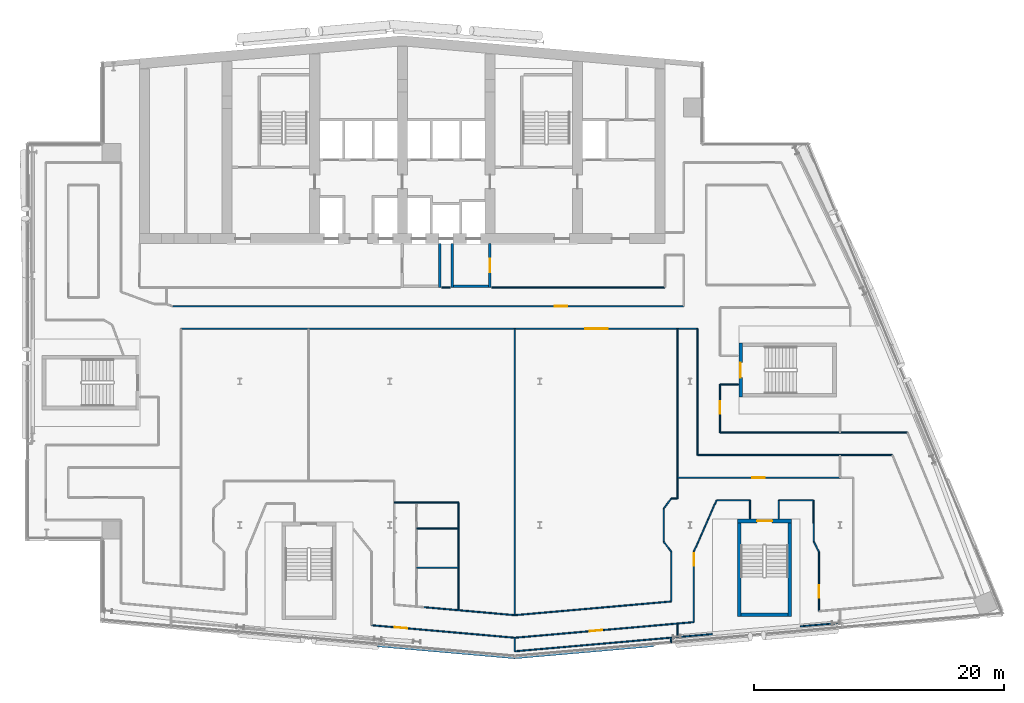
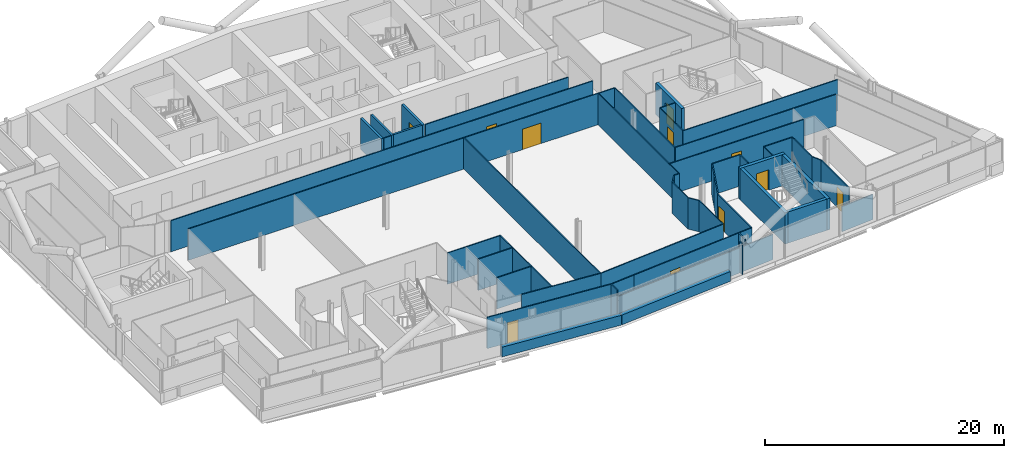
# One storey, part 17 of 27: 52 walls, 11 doors, 11 openings.
"""IFC4 building model written with IfcOpenShell, lengths in metres."""

from ifc_helpers import new_model, si_unit, direction, frame, frame_2d, origin, place, context, subcontext, project, spatial, rectangle, extrude, material, layer, layer_set, type_object, element, fill, save


model = new_model("IFC4")

# Units and contexts
model_context = context("Model", 3, precision=1e-05, world=origin(), true_north=direction((0.0, 1.0)))
body_context = subcontext(model_context, "Body", "Model", "MODEL_VIEW")
ifc_project = project(units=[si_unit("LENGTHUNIT", "METRE"), si_unit("AREAUNIT", "SQUARE_METRE"), si_unit("VOLUMEUNIT", "CUBIC_METRE"), si_unit("PLANEANGLEUNIT", "RADIAN"), si_unit("MASSUNIT", "GRAM", prefix="KILO")], contexts=[model_context])

# Site, building, storey
site_placement = place(None, origin())
site = spatial("IfcSite", under=ifc_project, at=site_placement, CompositionType="ELEMENT")
building_placement = place(site_placement, origin())
building = spatial("IfcBuilding", under=site, at=building_placement, Name="Wharfspan Tower", CompositionType="ELEMENT")
storey_placement = place(building_placement, frame((0.0, 0.0, 191.5)))
storey = spatial("IfcBuildingStorey", under=building, at=storey_placement, Name="L47", CompositionType="ELEMENT", Elevation=191.5)

# Wall, opening, door
ifc_material_1 = material(Name="Gypsum board on steel studs", Category="steel")
ifc_layer_1 = layer(ifc_material_1, 0.100098)
ifc_layer_set_1 = layer_set([ifc_layer_1], Name="Gypsum board on steel studs")
wall_type_1 = type_object("IfcWallType", Name="Compartment wall 100 EI 60", PredefinedType="PARTITIONING", material=ifc_layer_set_1)
wall_1_placement = place(storey_placement, frame((18.63501, 29.0, 0.0), z_axis=(0.0, 0.0, 1.0), x_axis=(1.0, 0.0, 0.0)))
wall_1 = element("IfcWall", 1, at=wall_1_placement, inside=storey, type_object=wall_type_1, Name="Partition L47.w035", PredefinedType="PARTITIONING", context=body_context, shape_type="SweptSolid", body=[
    extrude(rectangle(XDim=40.86499, YDim=0.100098, at=frame_2d((20.432617, 0.0))), origin(), (0.0, 0.0, 1.0), 3.199951),
])
opening_1_placement = place(wall_1_placement, frame((30.544922, 0.0, 0.0)))
opening_1 = element("IfcOpeningElement", 2, at=opening_1_placement, cuts=wall_1, Name="Opening C5-20", PredefinedType="OPENING", context=body_context, shape_type="SweptSolid", body=[
    extrude(rectangle(XDim=1.0, YDim=2.100098, at=frame_2d((0.5, 1.050049))), frame((0.0, 0.060059, 0.0), z_axis=(0.0, -1.0, 0.0), x_axis=(1.0, 0.0, 0.0)), (0.0, 0.0, 1.0), 0.120117),
])
ifc_material_2 = material(Name="Fire-rated timber door leaf in steel frame", Category="steel")
door_type_1 = type_object("IfcDoorType", Name="Door 1000 FD30S Right", OperationType="SINGLE_SWING_RIGHT", PredefinedType="DOOR", material=ifc_material_2)
door_1_placement = place(opening_1_placement, origin())
door_1 = element("IfcDoor", 3, at=door_1_placement, inside=storey, type_object=door_type_1, Name="Door C5-20", OperationType="SINGLE_SWING_RIGHT", OverallHeight=2.100098, OverallWidth=1.0, PredefinedType="DOOR", context=body_context, shape_type="SweptSolid", body=[
    extrude(rectangle(XDim=1.0, YDim=2.100098, at=frame_2d((0.5, 1.050049))), frame((0.0, 0.024902, 0.0), z_axis=(0.0, -1.0, 0.0), x_axis=(1.0, 0.0, 0.0)), (0.0, 0.0, 1.0), 0.050049),
])
fill(opening_1, door_1)

wall_2_placement = place(storey_placement, frame((19.300049, 27.199951, 0.0), z_axis=(0.0, 0.0, 1.0), x_axis=(1.0, 0.0, 0.0)))
wall_2 = element("IfcWall", 4, at=wall_2_placement, inside=storey, type_object=wall_type_1, Name="Partition L47.w037", PredefinedType="PARTITIONING", context=body_context, shape_type="SweptSolid", body=[
    extrude(rectangle(XDim=41.304932, YDim=0.100098, at=frame_2d((20.652344, 0.0))), origin(), (0.0, 0.0, 1.0), 3.199951),
])
opening_2_placement = place(wall_2_placement, frame((32.320068, 0.0, 0.0)))
opening_2 = element("IfcOpeningElement", 5, at=opening_2_placement, cuts=wall_2, Name="Opening C5-18", PredefinedType="OPENING", context=body_context, shape_type="SweptSolid", body=[
    extrude(rectangle(XDim=1.800049, YDim=2.100098, at=frame_2d((0.899902, 1.050049))), frame((0.0, 0.060059, 0.0), z_axis=(0.0, -1.0, 0.0), x_axis=(1.0, 0.0, 0.0)), (0.0, 0.0, 1.0), 0.120117),
])
door_type_2 = type_object("IfcDoorType", Name="Door 1800 FD30S Double", OperationType="DOUBLE_DOOR_SINGLE_SWING", PredefinedType="DOOR", material=ifc_material_2)
door_2_placement = place(opening_2_placement, origin())
door_2 = element("IfcDoor", 6, at=door_2_placement, inside=storey, type_object=door_type_2, Name="Door C5-18", OperationType="DOUBLE_DOOR_SINGLE_SWING", OverallHeight=2.100098, OverallWidth=1.800049, PredefinedType="DOOR", context=body_context, shape_type="SweptSolid", body=[
    extrude(rectangle(XDim=1.800049, YDim=2.100098, at=frame_2d((0.899902, 1.050049))), frame((0.0, 0.024902, 0.0), z_axis=(0.0, -1.0, 0.0), x_axis=(1.0, 0.0, 0.0)), (0.0, 0.0, 1.0), 0.050049),
])
fill(opening_2, door_2)

# Walls
wall_3_placement = place(storey_placement, frame((36.350098, 13.300049, 0.0), z_axis=(0.0, 0.0, 1.0), x_axis=(1.0, 0.0, 0.0)))
element("IfcWall", 7, at=wall_3_placement, inside=storey, type_object=wall_type_1, Name="Partition L47.w059", PredefinedType="PARTITIONING", context=body_context, shape_type="SweptSolid", body=[
    extrude(rectangle(XDim=5.149902, YDim=0.100098, at=frame_2d((2.574951, 0.0))), origin(), (0.0, 0.0, 1.0), 3.199951),
])
wall_4_placement = place(storey_placement, frame((41.5, 4.695068, 0.0), z_axis=(0.0, 0.0, 1.0), x_axis=(0.0, 1.0, 0.0)))
element("IfcWall", 8, at=wall_4_placement, inside=storey, type_object=wall_type_1, Name="Partition L47.w065", PredefinedType="PARTITIONING", context=body_context, shape_type="SweptSolid", body=[
    extrude(rectangle(XDim=8.60498, YDim=0.100098, at=frame_2d((4.30249, 0.0))), origin(), (0.0, 0.0, 1.0), 3.199951),
])
wall_5_placement = place(storey_placement, frame((46.0, 4.300049, 0.0), z_axis=(0.0, 0.0, 1.0), x_axis=(-0.996173, 0.087448, 0.0)))
element("IfcWall", 9, at=wall_5_placement, inside=storey, type_object=wall_type_1, Name="Partition L47.w066", PredefinedType="PARTITIONING", context=body_context, shape_type="SweptSolid", body=[
    extrude(rectangle(XDim=7.314697, YDim=0.100098, at=frame_2d((3.657227, 0.0))), origin(), (0.0, 0.0, 1.0), 3.199951),
])
wall_6_placement = place(storey_placement, frame((46.0, 1.415039, 0.0), z_axis=(0.0, 0.0, 1.0), x_axis=(0.0, 1.0, 0.0)))
element("IfcWall", 10, at=wall_6_placement, inside=storey, type_object=wall_type_1, Name="Partition L47.w068", PredefinedType="PARTITIONING", context=body_context, shape_type="SweptSolid", body=[
    extrude(rectangle(XDim=1.080078, YDim=0.100098, at=frame_2d((0.540039, 0.0))), origin(), (0.0, 0.0, 1.0), 3.199951),
])

# Wall, opening, door
wall_7_placement = place(storey_placement, frame((46.0, 2.495117, 0.0), z_axis=(0.0, 0.0, 1.0), x_axis=(-0.996214, 0.08693, 0.0)))
wall_7 = element("IfcWall", 11, at=wall_7_placement, inside=storey, type_object=wall_type_1, Name="Partition L47.w069", PredefinedType="PARTITIONING", context=body_context, shape_type="SweptSolid", body=[
    extrude(rectangle(XDim=11.503418, YDim=0.100098, at=frame_2d((5.751709, 0.0))), origin(), (0.0, 0.0, 1.0), 3.199951),
])
opening_3_placement = place(wall_7_placement, frame((8.64209, 0.0, 0.0)))
opening_3 = element("IfcOpeningElement", 12, at=opening_3_placement, cuts=wall_7, Name="Opening C5-02", PredefinedType="OPENING", context=body_context, shape_type="SweptSolid", body=[
    extrude(rectangle(XDim=1.0, YDim=2.100098, at=frame_2d((0.5, 1.050049))), frame((0.0, 0.060059, 0.0), z_axis=(0.0, -1.0, 0.0), x_axis=(1.0, 0.0, 0.0)), (0.0, 0.0, 1.0), 0.120117),
])
door_3_placement = place(opening_3_placement, origin())
door_3 = element("IfcDoor", 13, at=door_3_placement, inside=storey, type_object=door_type_1, Name="Door C5-02", OperationType="SINGLE_SWING_RIGHT", OverallHeight=2.100098, OverallWidth=1.0, PredefinedType="DOOR", context=body_context, shape_type="SweptSolid", body=[
    extrude(rectangle(XDim=1.0, YDim=2.100098, at=frame_2d((0.5, 1.050049))), frame((0.0, 0.024902, 0.0), z_axis=(0.0, -1.0, 0.0), x_axis=(1.0, 0.0, 0.0)), (0.0, 0.0, 1.0), 0.050049),
])
fill(opening_3, door_3)

# Walls
wall_8_placement = place(storey_placement, frame((46.0, 4.300049, 0.0), z_axis=(0.0, 0.0, 1.0), x_axis=(0.0, 1.0, 0.0)))
element("IfcWall", 14, at=wall_8_placement, inside=storey, type_object=wall_type_1, Name="Partition L47.w070", PredefinedType="PARTITIONING", context=body_context, shape_type="SweptSolid", body=[
    extrude(rectangle(XDim=22.899902, YDim=0.100098, at=frame_2d((11.449951, 0.0))), origin(), (0.0, 0.0, 1.0), 3.199951),
])
wall_9_placement = place(storey_placement, frame((46.0, 2.495117, 0.0), z_axis=(0.0, 0.0, 1.0), x_axis=(0.996324, 0.085703, 0.0)))
element("IfcWall", 15, at=wall_9_placement, inside=storey, type_object=wall_type_1, Name="Partition L47.w071", PredefinedType="PARTITIONING", context=body_context, shape_type="SweptSolid", body=[
    extrude(rectangle(XDim=2.273193, YDim=0.100098, at=frame_2d((1.136719, 0.0))), origin(), (0.0, 0.0, 1.0), 3.199951),
])
wall_10_placement = place(storey_placement, frame((46.0, 4.300049, 0.0), z_axis=(0.0, 0.0, 1.0), x_axis=(0.996189, 0.087194, 0.0)))
element("IfcWall", 16, at=wall_10_placement, inside=storey, type_object=wall_type_1, Name="Partition L47.w072", PredefinedType="PARTITIONING", context=body_context, shape_type="SweptSolid", body=[
    extrude(rectangle(XDim=12.557861, YDim=0.100098, at=frame_2d((6.278809, 0.0))), origin(), (0.0, 0.0, 1.0), 3.199951),
])

# Wall, opening, door
wall_11_placement = place(storey_placement, frame((48.264893, 2.689941, 0.0), z_axis=(0.0, 0.0, 1.0), x_axis=(0.996187, 0.087229, 0.0)))
wall_11 = element("IfcWall", 17, at=wall_11_placement, inside=storey, type_object=wall_type_1, Name="Partition L47.w073", PredefinedType="PARTITIONING", context=body_context, shape_type="SweptSolid", body=[
    extrude(rectangle(XDim=12.091064, YDim=0.100098, at=frame_2d((6.04541, 0.0))), origin(), (0.0, 0.0, 1.0), 3.199951),
])
opening_4_placement = place(wall_11_placement, frame((3.746582, 0.0, 0.0)))
opening_4 = element("IfcOpeningElement", 18, at=opening_4_placement, cuts=wall_11, Name="Opening C5-01", PredefinedType="OPENING", context=body_context, shape_type="SweptSolid", body=[
    extrude(rectangle(XDim=1.0, YDim=2.100098, at=frame_2d((0.5, 1.050049))), frame((0.0, 0.060059, 0.0), z_axis=(0.0, -1.0, 0.0), x_axis=(1.0, 0.0, 0.0)), (0.0, 0.0, 1.0), 0.120117),
])
door_type_3 = type_object("IfcDoorType", Name="Door 1000 FD30S Left", OperationType="SINGLE_SWING_LEFT", PredefinedType="DOOR", material=ifc_material_2)
door_4_placement = place(opening_4_placement, origin())
door_4 = element("IfcDoor", 19, at=door_4_placement, inside=storey, type_object=door_type_3, Name="Door C5-01", OperationType="SINGLE_SWING_LEFT", OverallHeight=2.100098, OverallWidth=1.0, PredefinedType="DOOR", context=body_context, shape_type="SweptSolid", body=[
    extrude(rectangle(XDim=1.0, YDim=2.100098, at=frame_2d((0.5, 1.050049))), frame((0.0, 0.024902, 0.0), z_axis=(0.0, -1.0, 0.0), x_axis=(1.0, 0.0, 0.0)), (0.0, 0.0, 1.0), 0.050049),
])
fill(opening_4, door_4)

# Walls
wall_12_placement = place(storey_placement, frame((57.899902, 10.175049, 0.0), z_axis=(0.0, 0.0, 1.0), x_axis=(0.0, 1.0, 0.0)))
element("IfcWall", 20, at=wall_12_placement, inside=storey, type_object=wall_type_1, Name="Partition L47.w074", PredefinedType="PARTITIONING", context=body_context, shape_type="SweptSolid", body=[
    extrude(rectangle(XDim=2.649902, YDim=0.100098, at=frame_2d((1.324951, 0.0))), origin(), (0.0, 0.0, 1.0), 3.199951),
])
for number, where, z_axis, x_axis, name in (
    (21, (57.899902, 12.824951, 0.0), (0.0, 0.0, 1.0), (0.60639, 0.795174, 0.0), "Partition L47.w075"),
    (22, (58.51001, 9.375, 0.0), (0.0, 0.0, 1.0), (-0.60639, 0.795174, 0.0), "Partition L47.w080"),
):
    element("IfcWall", number, at=place(storey_placement, frame(where, z_axis=z_axis, x_axis=x_axis)), inside=storey, type_object=wall_type_1, Name=name, PredefinedType="PARTITIONING", context=body_context, shape_type="SweptSolid", body=[
        extrude(rectangle(XDim=1.006104, YDim=0.100098, at=frame_2d((0.50293, 0.0))), origin(), (0.0, 0.0, 1.0), 3.199951),
    ])
wall_13_placement = place(storey_placement, frame((58.51001, 5.39502, 0.0), z_axis=(0.0, 0.0, 1.0), x_axis=(0.0, 1.0, 0.0)))
element("IfcWall", 23, at=wall_13_placement, inside=storey, type_object=wall_type_1, Name="Partition L47.w081", PredefinedType="PARTITIONING", context=body_context, shape_type="SweptSolid", body=[
    extrude(rectangle(XDim=3.97998, YDim=0.100098, at=frame_2d((1.98999, 0.0))), origin(), (0.0, 0.0, 1.0), 3.199951),
])
wall_14_placement = place(storey_placement, frame((58.51001, 13.625, 0.0), z_axis=(0.0, 0.0, 1.0), x_axis=(1.0, 0.0, 0.0)))
element("IfcWall", 24, at=wall_14_placement, inside=storey, type_object=wall_type_1, Name="Partition L47.w082", PredefinedType="PARTITIONING", context=body_context, shape_type="SweptSolid", body=[
    extrude(rectangle(XDim=0.48999, YDim=0.100098, at=frame_2d((0.245117, 0.0))), origin(), (0.0, 0.0, 1.0), 3.199951),
])
wall_15_placement = place(storey_placement, frame((59.0, 2.544922, 0.0), z_axis=(0.0, 0.0, 1.0), x_axis=(0.0, 1.0, 0.0)))
element("IfcWall", 25, at=wall_15_placement, inside=storey, type_object=wall_type_1, Name="Partition L47.w083", PredefinedType="PARTITIONING", context=body_context, shape_type="SweptSolid", body=[
    extrude(rectangle(XDim=1.084961, YDim=0.100098, at=frame_2d((0.54248, 0.0))), origin(), (0.0, 0.0, 1.0), 3.199951),
])
wall_16_placement = place(storey_placement, frame((59.0, 13.625, 0.0), z_axis=(0.0, 0.0, 1.0), x_axis=(0.0, 1.0, 0.0)))
element("IfcWall", 26, at=wall_16_placement, inside=storey, type_object=wall_type_1, Name="Partition L47.w084", PredefinedType="PARTITIONING", context=body_context, shape_type="SweptSolid", body=[
    extrude(rectangle(XDim=13.574951, YDim=0.100098, at=frame_2d((6.787598, 0.0))), origin(), (0.0, 0.0, 1.0), 3.199951),
])

# Wall, opening, door
wall_17_placement = place(storey_placement, frame((59.0, 15.284912, 0.0), z_axis=(0.0, 0.0, 1.0), x_axis=(1.0, 0.0, 0.0)))
wall_17 = element("IfcWall", 27, at=wall_17_placement, inside=storey, type_object=wall_type_1, Name="Partition L47.w085", PredefinedType="PARTITIONING", context=body_context, shape_type="SweptSolid", body=[
    extrude(rectangle(XDim=13.0, YDim=0.100098, at=frame_2d((6.5, 0.0))), origin(), (0.0, 0.0, 1.0), 3.199951),
])
opening_5_placement = place(wall_17_placement, frame((5.97998, 0.0, 0.0)))
opening_5 = element("IfcOpeningElement", 28, at=opening_5_placement, cuts=wall_17, Name="Opening C5-16", PredefinedType="OPENING", context=body_context, shape_type="SweptSolid", body=[
    extrude(rectangle(XDim=1.0, YDim=2.100098, at=frame_2d((0.5, 1.050049))), frame((0.0, 0.060059, 0.0), z_axis=(0.0, -1.0, 0.0), x_axis=(1.0, 0.0, 0.0)), (0.0, 0.0, 1.0), 0.120117),
])
door_5_placement = place(opening_5_placement, origin())
door_5 = element("IfcDoor", 29, at=door_5_placement, inside=storey, type_object=door_type_3, Name="Door C5-16", OperationType="SINGLE_SWING_LEFT", OverallHeight=2.100098, OverallWidth=1.0, PredefinedType="DOOR", context=body_context, shape_type="SweptSolid", body=[
    extrude(rectangle(XDim=1.0, YDim=2.100098, at=frame_2d((0.5, 1.050049))), frame((0.0, 0.024902, 0.0), z_axis=(0.0, -1.0, 0.0), x_axis=(1.0, 0.0, 0.0)), (0.0, 0.0, 1.0), 0.050049),
])
fill(opening_5, door_5)

wall_18_placement = place(storey_placement, frame((60.310059, 3.745117, 0.0), z_axis=(0.0, 0.0, 1.0), x_axis=(0.0, 1.0, 0.0)))
wall_18 = element("IfcWall", 30, at=wall_18_placement, inside=storey, type_object=wall_type_1, Name="Partition L47.w089", PredefinedType="PARTITIONING", context=body_context, shape_type="SweptSolid", body=[
    extrude(rectangle(XDim=5.629883, YDim=0.100098, at=frame_2d((2.814941, 0.0))), origin(), (0.0, 0.0, 1.0), 3.199951),
])
opening_6_placement = place(wall_18_placement, frame((4.504639, 0.0, 0.0)))
opening_6 = element("IfcOpeningElement", 31, at=opening_6_placement, cuts=wall_18, Name="Opening C5-09", PredefinedType="OPENING", context=body_context, shape_type="SweptSolid", body=[
    extrude(rectangle(XDim=1.0, YDim=2.100098, at=frame_2d((0.5, 1.050049))), frame((0.0, 0.060059, 0.0), z_axis=(0.0, -1.0, 0.0), x_axis=(1.0, 0.0, 0.0)), (0.0, 0.0, 1.0), 0.120117),
])
door_6_placement = place(opening_6_placement, origin())
door_6 = element("IfcDoor", 32, at=door_6_placement, inside=storey, type_object=door_type_1, Name="Door C5-09", OperationType="SINGLE_SWING_RIGHT", OverallHeight=2.100098, OverallWidth=1.0, PredefinedType="DOOR", context=body_context, shape_type="SweptSolid", body=[
    extrude(rectangle(XDim=1.0, YDim=2.100098, at=frame_2d((0.5, 1.050049))), frame((0.0, 0.024902, 0.0), z_axis=(0.0, -1.0, 0.0), x_axis=(1.0, 0.0, 0.0)), (0.0, 0.0, 1.0), 0.050049),
])
fill(opening_6, door_6)

# Walls
wall_19_placement = place(storey_placement, frame((60.310059, 9.375, 0.0), z_axis=(0.0, 0.0, 1.0), x_axis=(0.404668, 0.914459, 0.0)))
element("IfcWall", 33, at=wall_19_placement, inside=storey, type_object=wall_type_1, Name="Partition L47.w090", PredefinedType="PARTITIONING", context=body_context, shape_type="SweptSolid", body=[
    extrude(rectangle(XDim=2.854248, YDim=0.100098, at=frame_2d((1.427246, 0.0))), origin(), (0.0, 0.0, 1.0), 3.199951),
])
wall_20_placement = place(storey_placement, frame((60.60498, 17.100098, 0.0), z_axis=(0.0, 0.0, 1.0), x_axis=(0.0, 1.0, 0.0)))
element("IfcWall", 34, at=wall_20_placement, inside=storey, type_object=wall_type_1, Name="Partition L47.w091", PredefinedType="PARTITIONING", context=body_context, shape_type="SweptSolid", body=[
    extrude(rectangle(XDim=10.099854, YDim=0.100098, at=frame_2d((5.049805, 0.0))), origin(), (0.0, 0.0, 1.0), 3.199951),
])
wall_21_placement = place(storey_placement, frame((60.60498, 17.100098, 0.0), z_axis=(0.0, 0.0, 1.0), x_axis=(1.0, 0.0, 0.0)))
element("IfcWall", 35, at=wall_21_placement, inside=storey, type_object=wall_type_1, Name="Partition L47.w092", PredefinedType="PARTITIONING", context=body_context, shape_type="SweptSolid", body=[
    extrude(rectangle(XDim=15.580078, YDim=0.100098, at=frame_2d((7.790039, 0.0))), origin(), (0.0, 0.0, 1.0), 3.199951),
])
wall_22_placement = place(storey_placement, frame((61.465088, 11.985107, 0.0), z_axis=(0.0, 0.0, 1.0), x_axis=(0.402692, 0.915331, 0.0)))
element("IfcWall", 36, at=wall_22_placement, inside=storey, type_object=wall_type_1, Name="Partition L47.w096", PredefinedType="PARTITIONING", context=body_context, shape_type="SweptSolid", body=[
    extrude(rectangle(XDim=1.638672, YDim=0.100098, at=frame_2d((0.819336, 0.0))), origin(), (0.0, 0.0, 1.0), 3.199951),
])
wall_23_placement = place(storey_placement, frame((62.125, 13.485107, 0.0), z_axis=(0.0, 0.0, 1.0), x_axis=(1.0, 0.0, 0.0)))
element("IfcWall", 37, at=wall_23_placement, inside=storey, type_object=wall_type_1, Name="Partition L47.w097", PredefinedType="PARTITIONING", context=body_context, shape_type="SweptSolid", body=[
    extrude(rectangle(XDim=2.685059, YDim=0.100098, at=frame_2d((1.342529, 0.0))), origin(), (0.0, 0.0, 1.0), 3.199951),
])

# Wall, opening, door
wall_24_placement = place(storey_placement, frame((62.405029, 18.899902, 0.0), z_axis=(0.0, 0.0, 1.0), x_axis=(0.0, 1.0, 0.0)))
wall_24 = element("IfcWall", 38, at=wall_24_placement, inside=storey, type_object=wall_type_1, Name="Partition L47.w098", PredefinedType="PARTITIONING", context=body_context, shape_type="SweptSolid", body=[
    extrude(rectangle(XDim=3.850098, YDim=0.100098, at=frame_2d((1.925049, 0.0))), origin(), (0.0, 0.0, 1.0), 3.199951),
])
opening_7_placement = place(wall_24_placement, frame((1.5, 0.0, 0.0)))
opening_7 = element("IfcOpeningElement", 39, at=opening_7_placement, cuts=wall_24, Name="Opening C5-17", PredefinedType="OPENING", context=body_context, shape_type="SweptSolid", body=[
    extrude(rectangle(XDim=1.0, YDim=2.100098, at=frame_2d((0.5, 1.050049))), frame((0.0, 0.060059, 0.0), z_axis=(0.0, -1.0, 0.0), x_axis=(1.0, 0.0, 0.0)), (0.0, 0.0, 1.0), 0.120117),
])
door_7_placement = place(opening_7_placement, origin())
door_7 = element("IfcDoor", 40, at=door_7_placement, inside=storey, type_object=door_type_1, Name="Door C5-17", OperationType="SINGLE_SWING_RIGHT", OverallHeight=2.100098, OverallWidth=1.0, PredefinedType="DOOR", context=body_context, shape_type="SweptSolid", body=[
    extrude(rectangle(XDim=1.0, YDim=2.100098, at=frame_2d((0.5, 1.050049))), frame((0.0, 0.024902, 0.0), z_axis=(0.0, -1.0, 0.0), x_axis=(1.0, 0.0, 0.0)), (0.0, 0.0, 1.0), 0.050049),
])
fill(opening_7, door_7)

# Walls
wall_25_placement = place(storey_placement, frame((62.405029, 18.899902, 0.0), z_axis=(0.0, 0.0, 1.0), x_axis=(1.0, 0.0, 0.0)))
element("IfcWall", 41, at=wall_25_placement, inside=storey, type_object=wall_type_1, Name="Partition L47.w099", PredefinedType="PARTITIONING", context=body_context, shape_type="SweptSolid", body=[
    extrude(rectangle(XDim=14.984863, YDim=0.100098, at=frame_2d((7.492432, 0.0))), origin(), (0.0, 0.0, 1.0), 3.199951),
])
wall_26_placement = place(storey_placement, frame((62.405029, 22.75, 0.0), z_axis=(0.0, 0.0, 1.0), x_axis=(1.0, 0.0, 0.0)))
element("IfcWall", 42, at=wall_26_placement, inside=storey, type_object=wall_type_1, Name="Partition L47.w100", PredefinedType="PARTITIONING", context=body_context, shape_type="SweptSolid", body=[
    extrude(rectangle(XDim=1.479492, YDim=0.100098, at=frame_2d((0.739746, 0.0))), origin(), (0.0, 0.0, 1.0), 3.199951),
])
for number, where, z_axis, x_axis, name in (
    (43, (64.810059, 12.003662, 0.0), (0.0, 0.0, 1.0), (0.0, 1.0, 0.0), "Partition L47.w104"),
    (44, (67.110107, 12.003662, 0.0), (0.0, 0.0, 1.0), (0.0, 1.0, 0.0), "Partition L47.w105"),
):
    element("IfcWall", number, at=place(storey_placement, frame(where, z_axis=z_axis, x_axis=x_axis)), inside=storey, type_object=wall_type_1, Name=name, PredefinedType="PARTITIONING", context=body_context, shape_type="SweptSolid", body=[
        extrude(rectangle(XDim=1.481445, YDim=0.100098, at=frame_2d((0.740723, 0.0))), origin(), (0.0, 0.0, 1.0), 3.199951),
    ])
wall_27_placement = place(storey_placement, frame((67.110107, 13.485107, 0.0), z_axis=(0.0, 0.0, 1.0), x_axis=(1.0, 0.0, 0.0)))
element("IfcWall", 45, at=wall_27_placement, inside=storey, type_object=wall_type_1, Name="Partition L47.w106", PredefinedType="PARTITIONING", context=body_context, shape_type="SweptSolid", body=[
    extrude(rectangle(XDim=2.764893, YDim=0.100098, at=frame_2d((1.382324, 0.0))), origin(), (0.0, 0.0, 1.0), 3.199951),
])
wall_28_placement = place(storey_placement, frame((69.899902, 10.175049, 0.0), z_axis=(0.0, 0.0, 1.0), x_axis=(-0.007523, 0.999969, 0.0)))
element("IfcWall", 46, at=wall_28_placement, inside=storey, type_object=wall_type_1, Name="Partition L47.w108", PredefinedType="PARTITIONING", context=body_context, shape_type="SweptSolid", body=[
    extrude(rectangle(XDim=3.310059, YDim=0.100098, at=frame_2d((1.655029, 0.0))), origin(), (0.0, 0.0, 1.0), 3.199951),
])
wall_29_placement = place(storey_placement, frame((70.310059, 9.375, 0.0), z_axis=(0.0, 0.0, 1.0), x_axis=(-0.456208, 0.889877, 0.0)))
element("IfcWall", 47, at=wall_29_placement, inside=storey, type_object=wall_type_1, Name="Partition L47.w111", PredefinedType="PARTITIONING", context=body_context, shape_type="SweptSolid", body=[
    extrude(rectangle(XDim=0.89917, YDim=0.100098, at=frame_2d((0.449707, 0.0))), origin(), (0.0, 0.0, 1.0), 3.199951),
])

# Wall, opening, door
wall_30_placement = place(storey_placement, frame((70.310059, 4.620117, 0.0), z_axis=(0.0, 0.0, 1.0), x_axis=(0.0, 1.0, 0.0)))
wall_30 = element("IfcWall", 48, at=wall_30_placement, inside=storey, type_object=wall_type_1, Name="Partition L47.w112", PredefinedType="PARTITIONING", context=body_context, shape_type="SweptSolid", body=[
    extrude(rectangle(XDim=4.754883, YDim=0.100098, at=frame_2d((2.377441, 0.0))), origin(), (0.0, 0.0, 1.0), 3.199951),
])
opening_8_placement = place(wall_30_placement, frame((1.054932, 0.0, 0.0)))
opening_8 = element("IfcOpeningElement", 49, at=opening_8_placement, cuts=wall_30, Name="Opening C5-03", PredefinedType="OPENING", context=body_context, shape_type="SweptSolid", body=[
    extrude(rectangle(XDim=1.0, YDim=2.100098, at=frame_2d((0.5, 1.050049))), frame((0.0, 0.060059, 0.0), z_axis=(0.0, -1.0, 0.0), x_axis=(1.0, 0.0, 0.0)), (0.0, 0.0, 1.0), 0.120117),
])
door_8_placement = place(opening_8_placement, origin())
door_8 = element("IfcDoor", 50, at=door_8_placement, inside=storey, type_object=door_type_3, Name="Door C5-03", OperationType="SINGLE_SWING_LEFT", OverallHeight=2.100098, OverallWidth=1.0, PredefinedType="DOOR", context=body_context, shape_type="SweptSolid", body=[
    extrude(rectangle(XDim=1.0, YDim=2.100098, at=frame_2d((0.5, 1.050049))), frame((0.0, 0.024902, 0.0), z_axis=(0.0, -1.0, 0.0), x_axis=(1.0, 0.0, 0.0)), (0.0, 0.0, 1.0), 0.050049),
])
fill(opening_8, door_8)

# Walls
wall_31_placement = place(storey_placement, frame((40.149902, 30.5, 0.0), z_axis=(0.0, 0.0, 1.0), x_axis=(1.0, 0.0, 0.0)))
element("IfcWall", 51, at=wall_31_placement, inside=storey, type_object=wall_type_1, Name="Partition L47.w023 (2)", PredefinedType="PARTITIONING", context=body_context, shape_type="SweptSolid", body=[
    extrude(rectangle(XDim=0.700195, YDim=0.100098, at=frame_2d((0.350098, 0.0))), origin(), (0.0, 0.0, 1.0), 3.199951),
])
wall_32_placement = place(storey_placement, frame((44.149902, 30.5, 0.0), z_axis=(0.0, 0.0, 1.0), x_axis=(1.0, 0.0, 0.0)))
element("IfcWall", 52, at=wall_32_placement, inside=storey, type_object=wall_type_1, Name="Partition L47.w023 (3)", PredefinedType="PARTITIONING", context=body_context, shape_type="SweptSolid", body=[
    extrude(rectangle(XDim=13.850098, YDim=0.100098, at=frame_2d((6.925049, 0.0))), origin(), (0.0, 0.0, 1.0), 3.199951),
])
ifc_material_3 = material(Name="Concrete C30/37", Category="concrete")
ifc_layer_2 = layer(ifc_material_3, 0.199951)
ifc_layer_set_2 = layer_set([ifc_layer_2], Name="Concrete C30/37")
wall_type_2 = type_object("IfcWallType", Name="Lobby wall 200", PredefinedType="PARTITIONING", material=ifc_layer_set_2)
for number, where, z_axis, x_axis, name in (
    (53, (40.0, 30.5, 0.0), (0.0, 0.0, 1.0), (0.0, 1.0, 0.0), "sw:L47:FLFF1E"),
    (54, (41.0, 30.5, 0.0), (0.0, 0.0, 1.0), (0.0, 1.0, 0.0), "sw:L47:FLFF2W"),
):
    element("IfcWall", number, at=place(storey_placement, frame(where, z_axis=z_axis, x_axis=x_axis)), inside=storey, type_object=wall_type_2, Name=name, PredefinedType="PARTITIONING", context=body_context, shape_type="SweptSolid", body=[
        extrude(rectangle(XDim=3.5, YDim=0.199951, at=frame_2d((1.75, 0.0))), origin(), (0.0, 0.0, 1.0), 3.199951),
    ])

# Wall, opening, door
wall_33_placement = place(storey_placement, frame((44.0, 30.5, 0.0), z_axis=(0.0, 0.0, 1.0), x_axis=(0.0, 1.0, 0.0)))
wall_33 = element("IfcWall", 55, at=wall_33_placement, inside=storey, type_object=wall_type_2, Name="sw:L47:FLFF2E", PredefinedType="PARTITIONING", context=body_context, shape_type="SweptSolid", body=[
    extrude(rectangle(XDim=3.5, YDim=0.199951, at=frame_2d((1.75, 0.0))), origin(), (0.0, 0.0, 1.0), 3.199951),
])
opening_9_placement = place(wall_33_placement, frame((1.199951, 0.0, 0.0)))
opening_9 = element("IfcOpeningElement", 56, at=opening_9_placement, cuts=wall_33, Name="Opening FL.FF2.L47", PredefinedType="OPENING", context=body_context, shape_type="SweptSolid", body=[
    extrude(rectangle(XDim=1.100098, YDim=2.100098, at=frame_2d((0.550049, 1.050049))), frame((0.0, 0.109863, 0.0), z_axis=(0.0, -1.0, 0.0), x_axis=(1.0, 0.0, 0.0)), (0.0, 0.0, 1.0), 0.219971),
])
ifc_material_4 = material(Name="Steel door leaf", Category="steel")
door_type_4 = type_object("IfcDoorType", Name="Firefighting lobby door 1100x2100", OperationType="SINGLE_SWING_LEFT", PredefinedType="DOOR", material=ifc_material_4)
door_9_placement = place(opening_9_placement, origin())
door_9 = element("IfcDoor", 57, at=door_9_placement, inside=storey, type_object=door_type_4, Name="fd:L47:FF2", OperationType="SINGLE_SWING_LEFT", OverallHeight=2.100098, OverallWidth=1.100098, PredefinedType="DOOR", context=body_context, shape_type="SweptSolid", body=[
    extrude(rectangle(XDim=1.100098, YDim=2.100098, at=frame_2d((0.550049, 1.050049))), frame((0.0, 0.024902, 0.0), z_axis=(0.0, -1.0, 0.0), x_axis=(1.0, 0.0, 0.0)), (0.0, 0.0, 1.0), 0.050049),
])
fill(opening_9, door_9)

# Walls
wall_34_placement = place(storey_placement, frame((41.100098, 30.600098, 0.0), z_axis=(0.0, 0.0, 1.0), x_axis=(1.0, 0.0, 0.0)))
element("IfcWall", 58, at=wall_34_placement, inside=storey, type_object=wall_type_2, Name="sw:L47:FLFF2F", PredefinedType="PARTITIONING", context=body_context, shape_type="SweptSolid", body=[
    extrude(rectangle(XDim=2.799805, YDim=0.199951, at=frame_2d((1.399902, 0.0))), origin(), (0.0, 0.0, 1.0), 3.199951),
])
ifc_layer_3 = layer(ifc_material_1, 0.100098)
ifc_layer_set_3 = layer_set([ifc_layer_3], Name="Gypsum board on steel studs")
wall_type_3 = type_object("IfcWallType", Name="Partition 100", PredefinedType="PARTITIONING", material=ifc_layer_set_3)
for number, where, z_axis, x_axis, name in (
    (59, (38.139893, 8.094971, 0.0), (0.0, 0.0, 1.0), (1.0, 0.0, 0.0), "Partition L47.w062"),
    (60, (38.139893, 11.235107, 0.0), (0.0, 0.0, 1.0), (1.0, 0.0, 0.0), "Partition L47.w063"),
):
    element("IfcWall", number, at=place(storey_placement, frame(where, z_axis=z_axis, x_axis=x_axis)), inside=storey, type_object=wall_type_3, Name=name, PredefinedType="PARTITIONING", context=body_context, shape_type="SweptSolid", body=[
        extrude(rectangle(XDim=3.360107, YDim=0.100098, at=frame_2d((1.680176, 0.0))), origin(), (0.0, 0.0, 1.0), 3.199951),
    ])
wall_35_placement = place(storey_placement, frame((46.0, 1.409912, 0.0), z_axis=(0.0, 0.0, 1.0), x_axis=(0.996213, 0.086958, 0.0)))
element("IfcWall", 61, at=wall_35_placement, inside=storey, type_object=wall_type_3, Name="Partition L47.w067", PredefinedType="PARTITIONING", context=body_context, shape_type="SweptSolid", body=[
    extrude(rectangle(XDim=15.851562, YDim=0.100098, at=frame_2d((7.925781, 0.0))), origin(), (0.0, 0.0, 1.0), 2.580078),
])
wall_36_placement = place(storey_placement, frame((58.498291, 2.101562, 0.0), z_axis=(0.0, 0.0, 1.0), x_axis=(-0.083045, 0.996542, 0.0)))
element("IfcWall", 62, at=wall_36_placement, inside=storey, type_object=wall_type_3, Name="Partition L47.w079", PredefinedType="PARTITIONING", context=body_context, shape_type="SweptSolid", body=[
    extrude(rectangle(XDim=0.399902, YDim=0.100098, at=frame_2d((0.199951, 0.0))), origin(), (0.0, 0.0, 1.0), 3.199951),
])
wall_37_placement = place(storey_placement, frame((68.831299, 3.406738, 0.0), z_axis=(0.0, 0.0, 1.0), x_axis=(0.996308, 0.085898, 0.0)))
element("IfcWall", 63, at=wall_37_placement, inside=storey, type_object=wall_type_3, Name="Partition L47.w107", PredefinedType="PARTITIONING", context=body_context, shape_type="SweptSolid", body=[
    extrude(rectangle(XDim=3.18042, YDim=0.100098, at=frame_2d((1.590332, 0.0))), origin(), (0.0, 0.0, 1.0), 2.580078),
])
ifc_material_5 = material(Name="Concrete C40/50", Category="concrete")
ifc_layer_4 = layer(ifc_material_5, 0.350098)
ifc_layer_set_4 = layer_set([ifc_layer_4], Name="Concrete C40/50")
wall_type_4 = type_object("IfcWallType", Name="SPANDREL EXPOSED CONCRETE 350", PredefinedType="SOLIDWALL", material=ifc_layer_set_4)
wall_38_placement = place(storey_placement, frame((35.029541, 1.942627, 0.0), z_axis=(0.0, 0.0, 1.0), x_axis=(0.996199, -0.08714, 0.0)))
element("IfcWall", 64, at=wall_38_placement, inside=storey, type_object=wall_type_4, Name="Spandrel upstand L47 S1 2", PredefinedType="SOLIDWALL", context=body_context, shape_type="SweptSolid", body=[
    extrude(rectangle(XDim=11.027588, YDim=0.350098, at=frame_2d((5.513672, 0.0))), origin(), (0.0, 0.0, 1.0), 1.0),
])
wall_39_placement = place(storey_placement, frame((46.04541, 0.986816, 0.0), z_axis=(0.0, 0.0, 1.0), x_axis=(0.996193, 0.087171, 0.0)))
element("IfcWall", 65, at=wall_39_placement, inside=storey, type_object=wall_type_4, Name="Spandrel upstand L47 S2 1", PredefinedType="SOLIDWALL", context=body_context, shape_type="SweptSolid", body=[
    extrude(rectangle(XDim=11.110352, YDim=0.350098, at=frame_2d((5.555176, 0.0))), origin(), (0.0, 0.0, 1.0), 1.0),
])

# Wall, opening, door
ifc_layer_5 = layer(ifc_material_5, 0.300049)
ifc_layer_set_5 = layer_set([ifc_layer_5], Name="Concrete C40/50")
wall_type_5 = type_object("IfcWallType", Name="Stair core wall 300", PredefinedType="SHEAR", material=ifc_layer_set_5)
wall_40_placement = place(storey_placement, frame((63.786377, 11.83374, 0.0), z_axis=(0.0, 0.0, 1.0), x_axis=(1.0, 0.0, 0.0)))
wall_40 = element("IfcWall", 66, at=wall_40_placement, inside=storey, type_object=wall_type_5, Name="ST5 stair enclosure wall L47", PredefinedType="SHEAR", context=body_context, shape_type="SweptSolid", body=[
    extrude(rectangle(XDim=4.350098, YDim=0.300049, at=frame_2d((2.175049, 0.0))), origin(), (0.0, 0.0, 1.0), 3.199951),
])
opening_10_placement = place(wall_40_placement, frame((1.574951, 0.0, 0.0)))
opening_10 = element("IfcOpeningElement", 67, at=opening_10_placement, cuts=wall_40, Name="Opening SD5.L47", PredefinedType="OPENING", context=body_context, shape_type="SweptSolid", body=[
    extrude(rectangle(XDim=1.199951, YDim=2.100098, at=frame_2d((0.600098, 1.050049))), frame((0.0, 0.159912, 0.0), z_axis=(0.0, -1.0, 0.0), x_axis=(1.0, 0.0, 0.0)), (0.0, 0.0, 1.0), 0.320068),
])
door_type_5 = type_object("IfcDoorType", Name="Stair door 1200x2100", OperationType="SINGLE_SWING_LEFT", PredefinedType="DOOR", material=ifc_material_4)
door_10_placement = place(opening_10_placement, origin())
door_10 = element("IfcDoor", 68, at=door_10_placement, inside=storey, type_object=door_type_5, Name="sd:L47:ST5z3", OperationType="SINGLE_SWING_RIGHT", OverallHeight=2.100098, OverallWidth=1.199951, PredefinedType="DOOR", context=body_context, shape_type="SweptSolid", body=[
    extrude(rectangle(XDim=1.199951, YDim=2.100098, at=frame_2d((0.600098, 1.050049))), frame((0.0, 0.024902, 0.0), z_axis=(0.0, -1.0, 0.0), x_axis=(1.0, 0.0, 0.0)), (0.0, 0.0, 1.0), 0.050049),
])
fill(opening_10, door_10)

wall_41_placement = place(storey_placement, frame((64.054688, 21.725098, 0.0), z_axis=(0.0, 0.0, 1.0), x_axis=(0.0, 1.0, 0.0)))
wall_41 = element("IfcWall", 69, at=wall_41_placement, inside=storey, type_object=wall_type_5, Name="ST6 stair enclosure wall L47", PredefinedType="SHEAR", context=body_context, shape_type="SweptSolid", body=[
    extrude(rectangle(XDim=4.349854, YDim=0.300049, at=frame_2d((2.174805, 0.0))), origin(), (0.0, 0.0, 1.0), 3.199951),
])
opening_11_placement = place(wall_41_placement, frame((1.574951, 0.0, 0.0)))
opening_11 = element("IfcOpeningElement", 70, at=opening_11_placement, cuts=wall_41, Name="Opening SD6.L47", PredefinedType="OPENING", context=body_context, shape_type="SweptSolid", body=[
    extrude(rectangle(XDim=1.199951, YDim=2.100098, at=frame_2d((0.600098, 1.050049))), frame((0.0, 0.159912, 0.0), z_axis=(0.0, -1.0, 0.0), x_axis=(1.0, 0.0, 0.0)), (0.0, 0.0, 1.0), 0.320068),
])
door_11_placement = place(opening_11_placement, origin())
door_11 = element("IfcDoor", 71, at=door_11_placement, inside=storey, type_object=door_type_5, Name="sd:L47:ST6z3", OperationType="SINGLE_SWING_RIGHT", OverallHeight=2.100098, OverallWidth=1.199951, PredefinedType="DOOR", context=body_context, shape_type="SweptSolid", body=[
    extrude(rectangle(XDim=1.199951, YDim=2.100098, at=frame_2d((0.600098, 1.050049))), frame((0.0, 0.024902, 0.0), z_axis=(0.0, -1.0, 0.0), x_axis=(1.0, 0.0, 0.0)), (0.0, 0.0, 1.0), 0.050049),
])
fill(opening_11, door_11)

# Walls
for number, where, z_axis, x_axis, name in (
    (72, (63.936279, 4.183594, 0.0), (0.0, 0.0, 1.0), (0.0, 1.0, 0.0), "ST5 stair enclosure wall L47"),
    (73, (67.986328, 4.183594, 0.0), (0.0, 0.0, 1.0), (0.0, 1.0, 0.0), "ST5 stair enclosure wall L47"),
):
    element("IfcWall", number, at=place(storey_placement, frame(where, z_axis=z_axis, x_axis=x_axis)), inside=storey, type_object=wall_type_5, Name=name, PredefinedType="SHEAR", context=body_context, shape_type="SweptSolid", body=[
        extrude(rectangle(XDim=7.5, YDim=0.300049, at=frame_2d((3.75, 0.0))), origin(), (0.0, 0.0, 1.0), 3.199951),
    ])
wall_42_placement = place(storey_placement, frame((64.086426, 4.33374, 0.0), z_axis=(0.0, 0.0, 1.0), x_axis=(1.0, 0.0, 0.0)))
element("IfcWall", 74, at=wall_42_placement, inside=storey, type_object=wall_type_5, Name="ST5 stair enclosure wall L47", PredefinedType="SHEAR", context=body_context, shape_type="SweptSolid", body=[
    extrude(rectangle(XDim=3.75, YDim=0.300049, at=frame_2d((1.875, 0.0))), origin(), (0.0, 0.0, 1.0), 3.199951),
])

save(model, "model.ifc")
